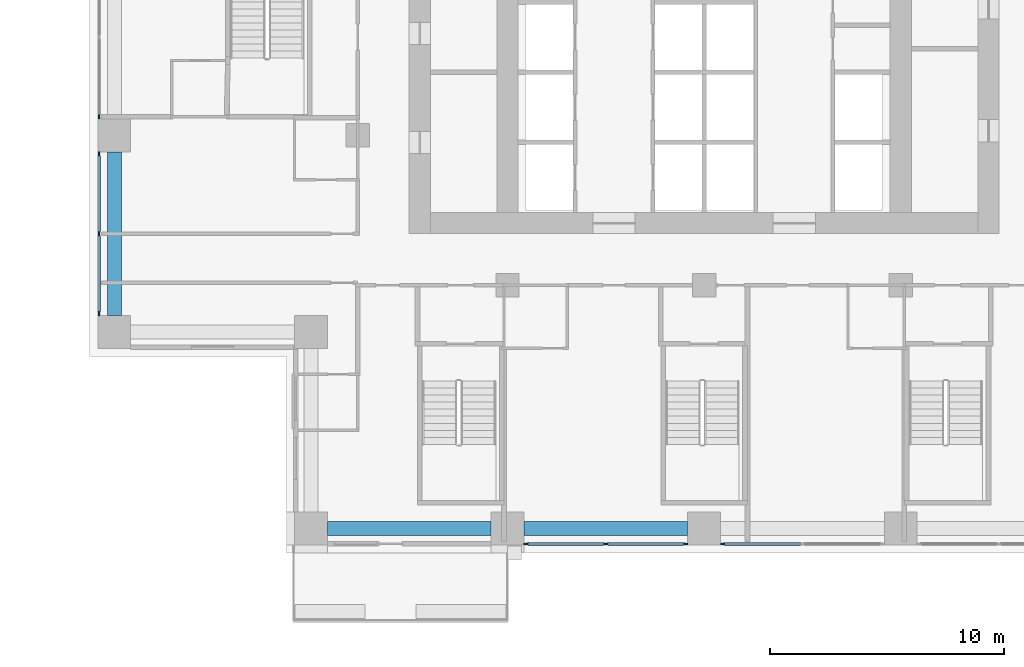
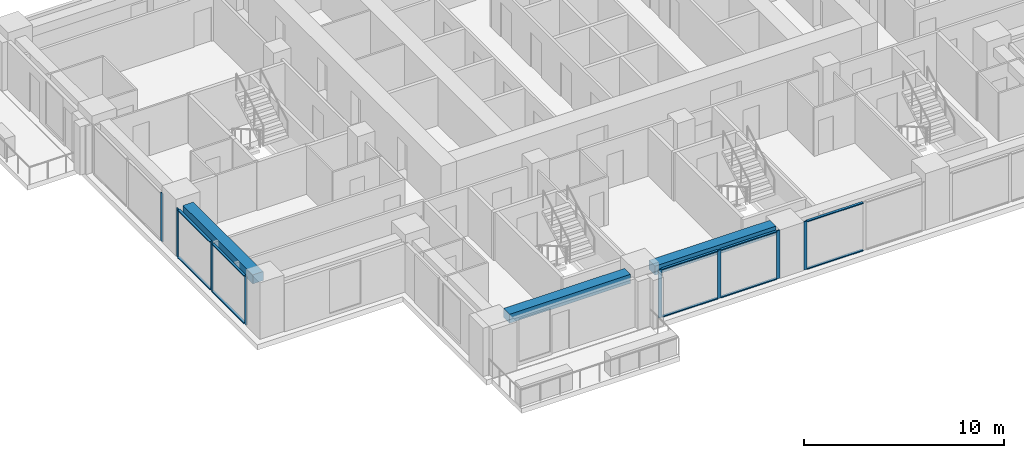
# One storey, part 2 of 16: 18 members, 3 beams, 4 elements without a shape of their own.
"""IFC4 building model written with IfcOpenShell, lengths in metres."""

import ifcopenshell
import ifcopenshell.guid

model = None  # the IFC model being written
_history = None  # IfcOwnerHistory: only IFC2X3 demands one
_inside = {}  # id of a spatial element -> (the spatial element, [elements in it])
_under = {}  # id of a project, library or spatial element -> (it, [spatial elements below it])
_declared = {}  # id of a project -> (the project, [libraries it declares])
_typed = {}  # id of a type object -> (the type object, [elements of that type])
_made_of = {}  # id of a material, layer set ... -> (it, [elements and type objects made of it])


def new_model(schema):
    """Start an empty IFC model of exactly this schema.

    Asked for "IFC4X3", IfcOpenShell would pick the latest addendum, in which some entities
    have other attributes; the version numbers below select the first issue.
    IFC2X3 requires an IfcOwnerHistory on every rooted entity: one is made here for all.
    """
    global model, _history
    if schema == "IFC4X3":
        model = ifcopenshell.file(schema_version=(4, 3, 0, 0))
    else:
        model = ifcopenshell.file(schema=schema)
    _inside.clear()
    _under.clear()
    _declared.clear()
    _typed.clear()
    _made_of.clear()
    _history = None
    if model.schema == "IFC2X3":
        org = make("IfcOrganization", Name="unknown")
        user = make(
            "IfcPersonAndOrganization",
            ThePerson=make("IfcPerson", FamilyName="unknown"),
            TheOrganization=org,
        )
        app = make(
            "IfcApplication",
            ApplicationDeveloper=org,
            Version="unknown",
            ApplicationFullName="unknown",
            ApplicationIdentifier="unknown",
        )
        _history = make(
            "IfcOwnerHistory",
            OwningUser=user,
            OwningApplication=app,
            ChangeAction="ADDED",
            CreationDate=0,
        )
    return model


def make(cls, **values):
    """One entity of the class cls with the attributes given. An attribute that is None is left unset."""
    return model.create_entity(
        cls, **{name: value for name, value in values.items() if value is not None}
    )


def rooted(cls, **values):
    """An entity with a GlobalId (a new one), such as an element, a storey or a relation."""
    return make(cls, GlobalId=ifcopenshell.guid.new(), OwnerHistory=_history, **values)


def si_unit(unit_type, name, prefix=None):
    """IfcSIUnit, for example si_unit("LENGTHUNIT", "METRE", prefix="MILLI")."""
    return make("IfcSIUnit", UnitType=unit_type, Prefix=prefix, Name=name)


def assignment(units):
    """IfcUnitAssignment: the units of a project."""
    return None if units is None else make("IfcUnitAssignment", Units=units)


def point(xyz):
    """IfcCartesianPoint."""
    return None if xyz is None else make("IfcCartesianPoint", Coordinates=xyz)


def direction(xyz):
    """IfcDirection."""
    return None if xyz is None else make("IfcDirection", DirectionRatios=xyz)


def frame(location, z_axis=None, x_axis=None):
    """IfcAxis2Placement3D, a coordinate frame: its origin and axes. An axis left out is left unset."""
    return make(
        "IfcAxis2Placement3D",
        Location=point(location),
        Axis=direction(z_axis),
        RefDirection=direction(x_axis),
    )


def frame_2d(location, x_axis=None):
    """IfcAxis2Placement2D, a coordinate frame in the plane: its origin and x axis."""
    return make(
        "IfcAxis2Placement2D", Location=point(location), RefDirection=direction(x_axis)
    )


def origin():
    """The frame at (0, 0, 0) with its axes left unset."""
    return frame((0.0, 0.0, 0.0))


def origin_2d():
    """The frame at (0, 0) in the plane with its x axis left unset."""
    return frame_2d((0.0, 0.0))


def place(relative_to, where):
    """IfcLocalPlacement: puts the frame where relative to a parent placement (None: the world)."""
    return make(
        "IfcLocalPlacement", PlacementRelTo=relative_to, RelativePlacement=where
    )


def context(
    kind, dimensions, precision=None, world=None, true_north=None, identifier=None
):
    """IfcGeometricRepresentationContext, for example the 3D "Model" context."""
    return make(
        "IfcGeometricRepresentationContext",
        ContextIdentifier=identifier,
        ContextType=kind,
        CoordinateSpaceDimension=dimensions,
        Precision=precision,
        WorldCoordinateSystem=world,
        TrueNorth=true_north,
    )


def subcontext(parent, identifier, kind, view, scale=None):
    """IfcGeometricRepresentationSubContext, for example "Body" below "Model"."""
    return make(
        "IfcGeometricRepresentationSubContext",
        ContextIdentifier=identifier,
        ContextType=kind,
        ParentContext=parent,
        TargetScale=scale,
        TargetView=view,
    )


def project(units=None, contexts=None):
    """IfcProject with its units and contexts."""
    return rooted(
        "IfcProject",
        Name="project",
        RepresentationContexts=contexts,
        UnitsInContext=assignment(units),
    )


def spatial(cls, under=None, at=None, **own):
    """A site, building, storey or space (cls), placed at a placement, below another one or the project."""
    s = rooted(cls, ObjectPlacement=at, **own)
    if under is not None:
        _under.setdefault(under.id(), (under, []))[1].append(s)
    return s


def profile(cls, at=None, kind="AREA", **sizes):
    """A parametric profile (cls). Its sizes go by their IFC names, for example OverallWidth=200.0."""
    return make(cls, ProfileType=kind, Position=at, **sizes)


def rectangle(**sizes):
    """IfcRectangleProfileDef."""
    return profile("IfcRectangleProfileDef", **sizes)


def extrude(swept, where, along, depth):
    """IfcExtrudedAreaSolid: the profile swept, set in the frame where, extruded along a direction by depth."""
    return make(
        "IfcExtrudedAreaSolid",
        SweptArea=swept,
        Position=where,
        ExtrudedDirection=direction(along),
        Depth=depth,
    )


def shape(context_of_items, identifier, shape_type, items):
    """IfcShapeRepresentation: the items that make up one representation, for example the "Body"."""
    return make(
        "IfcShapeRepresentation",
        ContextOfItems=context_of_items,
        RepresentationIdentifier=identifier,
        RepresentationType=shape_type,
        Items=items,
    )


def material(Name=None, Category=None):
    """IfcMaterial."""
    return make("IfcMaterial", Name=Name, Category=Category)


def material_profile(
    of_material, cross_section, Name=None, Category=None, Priority=None
):
    """IfcMaterialProfile: a cross section and its material."""
    return make(
        "IfcMaterialProfile",
        Name=Name,
        Material=of_material,
        Profile=cross_section,
        Priority=Priority,
        Category=Category,
    )


def profile_set(profiles, Name=None, composite=None):
    """IfcMaterialProfileSet."""
    return make(
        "IfcMaterialProfileSet",
        Name=Name,
        MaterialProfiles=profiles,
        CompositeProfile=composite,
    )


def made_of(thing, what):
    """Note that an element or type object is made of a material, layer set ...; save() writes the relation."""
    if what is not None:
        _made_of.setdefault(what.id(), (what, []))[1].append(thing)
    return thing


def type_object(cls, material=None, **own):
    """A type object (cls), such as IfcWallType, which elements share."""
    return made_of(rooted(cls, **own), material)


def element(
    cls,
    number,
    at=None,
    inside=None,
    cuts=None,
    type_object=None,
    material=None,
    context=None,
    identifier="Body",
    shape_type=None,
    held_by="IfcProductDefinitionShape",
    body=None,
    shapes=None,
    **own,
):
    """One element of the class cls, such as IfcWall. Its Tag is "e" and its number.

    at: its placement. inside: the storey or other place that contains it. cuts: it is an
    opening in that element (IfcRelVoidsElement). A single representation is given by context,
    identifier, shape_type and body (its items); several are given by shapes. held_by: the class
    of the entity that holds the representations. save() writes the other relations.
    """
    e = rooted(cls, Tag="e%d" % number, ObjectPlacement=at, **own)
    if body is not None:
        shapes = [shape(context, identifier, shape_type, body)]
    if shapes is not None:
        e.Representation = make(held_by, Representations=shapes)
    if inside is not None:
        _inside.setdefault(inside.id(), (inside, []))[1].append(e)
    if cuts is not None:
        rooted(
            "IfcRelVoidsElement", RelatingBuildingElement=cuts, RelatedOpeningElement=e
        )
    if type_object is not None:
        _typed.setdefault(type_object.id(), (type_object, []))[1].append(e)
    return made_of(e, material)


def aggregate(whole, parts):
    """IfcRelAggregates: a whole, such as a stair, and the parts it consists of."""
    return rooted("IfcRelAggregates", RelatingObject=whole, RelatedObjects=parts)


def save(model, path):
    """Write the relations noted so far, then the file.

    IfcRelAggregates (storeys below a building ...), IfcRelContainedInSpatialStructure (elements
    in a storey), IfcRelDefinesByType, IfcRelAssociatesMaterial and IfcRelDeclares: one each for
    every whole, place, type object, material and project.
    """
    for whole, parts in _under.values():
        aggregate(whole, parts)
    for where, things in _inside.values():
        rooted(
            "IfcRelContainedInSpatialStructure",
            RelatedElements=things,
            RelatingStructure=where,
        )
    for kind, things in _typed.values():
        rooted("IfcRelDefinesByType", RelatedObjects=things, RelatingType=kind)
    for what, things in _made_of.values():
        rooted("IfcRelAssociatesMaterial", RelatedObjects=things, RelatingMaterial=what)
    for by, libraries in _declared.values():
        rooted("IfcRelDeclares", RelatingContext=by, RelatedDefinitions=libraries)
    model.write(path)


model = new_model("IFC4")

# Units and contexts
model_context = context("Model", 3, precision=1e-05, world=origin(), true_north=direction((0.0, 1.0)))
body_context = subcontext(model_context, "Body", "Model", "MODEL_VIEW")
ifc_project = project(units=[si_unit("LENGTHUNIT", "METRE"), si_unit("AREAUNIT", "SQUARE_METRE"), si_unit("VOLUMEUNIT", "CUBIC_METRE"), si_unit("PLANEANGLEUNIT", "RADIAN"), si_unit("MASSUNIT", "GRAM", prefix="KILO")], contexts=[model_context])

# Site, building, storey
site_placement = place(None, origin())
site = spatial("IfcSite", under=ifc_project, at=site_placement, CompositionType="ELEMENT")
building_placement = place(site_placement, origin())
building = spatial("IfcBuilding", under=site, at=building_placement, Name="Vermilion Ogive Tower", CompositionType="ELEMENT")
storey_placement = place(building_placement, frame((0.0, 0.0, 72.449951171875)))
storey = spatial("IfcBuildingStorey", under=building, at=storey_placement, Name="L17", CompositionType="ELEMENT", Elevation=72.449951171875)

# Curtain wall, members
ifc_material_1 = material(Name="Low-iron laminated glazing in aluminium frame", Category="aluminium")
curtain_wall_type = type_object("IfcCurtainWallType", Name="Curtain wall CW7", PredefinedType="NOTDEFINED", material=ifc_material_1)
curtain_wall_1_placement = place(storey_placement, origin())
curtain_wall_1 = element("IfcCurtainWall", 1, at=curtain_wall_1_placement, inside=storey, type_object=curtain_wall_type, Name="Glazed skin S2", PredefinedType="NOTDEFINED")
ifc_material_2 = material(Name="Aluminium mullion", Category="aluminium")
ifc_material_profile_1 = material_profile(ifc_material_2, rectangle(XDim=0.06005859375, YDim=0.179931640625, at=origin_2d()), Name="AL 60x180")
ifc_profile_set_1 = profile_set([ifc_material_profile_1], Name="Aluminium mullion")
member_type_1 = type_object("IfcMemberType", Name="CW7 mullion 60x180", PredefinedType="MULLION", material=ifc_profile_set_1)
member_1_placement = place(storey_placement, frame((-7.610107421875, -21.64990234375, 0.0), z_axis=(0.0, 0.0, 1.0), x_axis=(0.0, 1.0, 0.0)))
member_1 = element("IfcMember", 2, at=member_1_placement, type_object=member_type_1, Name="CW7-S2 mullion 1", PredefinedType="MULLION", context=body_context, shape_type="SweptSolid", body=[
    extrude(rectangle(XDim=0.06005859375, YDim=0.179931640625, at=origin_2d()), origin(), (0.0, 0.0, 1.0), 2.949951171875),
])
member_2_placement = place(storey_placement, frame((-4.199951171875, -21.64990234375, 0.0), z_axis=(0.0, 0.0, 1.0), x_axis=(0.0, 1.0, 0.0)))
member_2 = element("IfcMember", 3, at=member_2_placement, type_object=member_type_1, Name="CW7-S2 mullion 2", PredefinedType="MULLION", context=body_context, shape_type="SweptSolid", body=[
    extrude(rectangle(XDim=0.06005859375, YDim=0.179931640625, at=origin_2d()), origin(), (0.0, 0.0, 1.0), 2.949951171875),
])
member_3_placement = place(storey_placement, frame((-0.7900390625, -21.64990234375, 0.0), z_axis=(0.0, 0.0, 1.0), x_axis=(0.0, 1.0, 0.0)))
member_3 = element("IfcMember", 4, at=member_3_placement, type_object=member_type_1, Name="CW7-S2 mullion 3", PredefinedType="MULLION", context=body_context, shape_type="SweptSolid", body=[
    extrude(rectangle(XDim=0.06005859375, YDim=0.179931640625, at=origin_2d()), origin(), (0.0, 0.0, 1.0), 2.949951171875),
])

# Curtain wall, member
curtain_wall_2_placement = place(storey_placement, origin())
curtain_wall_2 = element("IfcCurtainWall", 5, at=curtain_wall_2_placement, inside=storey, type_object=curtain_wall_type, Name="Glazed skin S3", PredefinedType="NOTDEFINED")
member_4_placement = place(storey_placement, frame((0.7900390625, -21.64990234375, 0.0), z_axis=(0.0, 0.0, 1.0), x_axis=(0.0, 1.0, 0.0)))
member_4 = element("IfcMember", 6, at=member_4_placement, type_object=member_type_1, Name="CW7-S3 mullion 1", PredefinedType="MULLION", context=body_context, shape_type="SweptSolid", body=[
    extrude(rectangle(XDim=0.06005859375, YDim=0.179931640625, at=origin_2d()), origin(), (0.0, 0.0, 1.0), 2.949951171875),
])

curtain_wall_3_placement = place(storey_placement, origin())
curtain_wall_3 = element("IfcCurtainWall", 7, at=curtain_wall_3_placement, inside=storey, type_object=curtain_wall_type, Name="Glazed skin W2", PredefinedType="NOTDEFINED")
member_5_placement = place(storey_placement, frame((-25.85009765625, -3.409912109375, 0.0), z_axis=(0.0, 0.0, 1.0), x_axis=(1.0, 0.0, 0.0)))
member_5 = element("IfcMember", 8, at=member_5_placement, type_object=member_type_1, Name="CW7-W2 mullion 3", PredefinedType="MULLION", context=body_context, shape_type="SweptSolid", body=[
    extrude(rectangle(XDim=0.06005859375, YDim=0.179931640625, at=origin_2d()), origin(), (0.0, 0.0, 1.0), 2.949951171875),
])
aggregate(curtain_wall_3, [member_5])

# Curtain wall, members
curtain_wall_4_placement = place(storey_placement, origin())
curtain_wall_4 = element("IfcCurtainWall", 9, at=curtain_wall_4_placement, inside=storey, type_object=curtain_wall_type, Name="Glazed skin W3", PredefinedType="NOTDEFINED")
member_6_placement = place(storey_placement, frame((-25.85009765625, -4.989990234375, 0.0), z_axis=(0.0, 0.0, 1.0), x_axis=(1.0, 0.0, 0.0)))
member_6 = element("IfcMember", 10, at=member_6_placement, type_object=member_type_1, Name="CW7-W3 mullion 1", PredefinedType="MULLION", context=body_context, shape_type="SweptSolid", body=[
    extrude(rectangle(XDim=0.06005859375, YDim=0.179931640625, at=origin_2d()), origin(), (0.0, 0.0, 1.0), 2.949951171875),
])
member_7_placement = place(storey_placement, frame((-25.85009765625, -8.39990234375, 0.0), z_axis=(0.0, 0.0, 1.0), x_axis=(1.0, 0.0, 0.0)))
member_7 = element("IfcMember", 11, at=member_7_placement, type_object=member_type_1, Name="CW7-W3 mullion 2", PredefinedType="MULLION", context=body_context, shape_type="SweptSolid", body=[
    extrude(rectangle(XDim=0.06005859375, YDim=0.179931640625, at=origin_2d()), origin(), (0.0, 0.0, 1.0), 2.949951171875),
])
member_8_placement = place(storey_placement, frame((-25.85009765625, -11.81005859375, 0.0), z_axis=(0.0, 0.0, 1.0), x_axis=(1.0, 0.0, 0.0)))
member_8 = element("IfcMember", 12, at=member_8_placement, type_object=member_type_1, Name="CW7-W3 mullion 3", PredefinedType="MULLION", context=body_context, shape_type="SweptSolid", body=[
    extrude(rectangle(XDim=0.06005859375, YDim=0.179931640625, at=origin_2d()), origin(), (0.0, 0.0, 1.0), 2.949951171875),
])

# Member
ifc_material_3 = material(Name="Aluminium transom", Category="aluminium")
ifc_material_profile_2 = material_profile(ifc_material_3, rectangle(XDim=0.139892578125, YDim=0.06005859375, at=origin_2d()), Name="AL 60x140")
ifc_profile_set_2 = profile_set([ifc_material_profile_2], Name="Aluminium transom")
member_type_2 = type_object("IfcMemberType", Name="CW7 transom 60x140", PredefinedType="USERDEFINED", material=ifc_profile_set_2)
member_9_placement = place(storey_placement, frame((-7.52001953125, -21.64990234375, 0.030029296875), z_axis=(1.0, 0.0, 0.0), x_axis=(0.0, 1.0, 0.0)))
member_9 = element("IfcMember", 13, at=member_9_placement, type_object=member_type_2, Name="CW7-S2 transom 1.1", ObjectType="TRANSOM", PredefinedType="USERDEFINED", context=body_context, shape_type="SweptSolid", body=[
    extrude(rectangle(XDim=0.139892578125, YDim=0.06005859375, at=origin_2d()), origin(), (0.0, 0.0, 1.0), 3.22998046875),
])

member_10_placement = place(storey_placement, frame((-7.52001953125, -21.64990234375, 2.920166015625), z_axis=(1.0, 0.0, 0.0), x_axis=(0.0, 1.0, 0.0)))
member_10 = element("IfcMember", 14, at=member_10_placement, type_object=member_type_2, Name="CW7-S2 transom 1.2", ObjectType="TRANSOM", PredefinedType="USERDEFINED", context=body_context, shape_type="SweptSolid", body=[
    extrude(rectangle(XDim=0.139892578125, YDim=0.06005859375, at=origin_2d()), origin(), (0.0, 0.0, 1.0), 3.22998046875),
])

member_11_placement = place(storey_placement, frame((-4.110107421875, -21.64990234375, 0.030029296875), z_axis=(1.0, 0.0, 0.0), x_axis=(0.0, 1.0, 0.0)))
member_11 = element("IfcMember", 15, at=member_11_placement, type_object=member_type_2, Name="CW7-S2 transom 2.1", ObjectType="TRANSOM", PredefinedType="USERDEFINED", context=body_context, shape_type="SweptSolid", body=[
    extrude(rectangle(XDim=0.139892578125, YDim=0.06005859375, at=origin_2d()), origin(), (0.0, 0.0, 1.0), 3.230224609375),
])

member_12_placement = place(storey_placement, frame((-4.110107421875, -21.64990234375, 2.920166015625), z_axis=(1.0, 0.0, 0.0), x_axis=(0.0, 1.0, 0.0)))
member_12 = element("IfcMember", 16, at=member_12_placement, type_object=member_type_2, Name="CW7-S2 transom 2.2", ObjectType="TRANSOM", PredefinedType="USERDEFINED", context=body_context, shape_type="SweptSolid", body=[
    extrude(rectangle(XDim=0.139892578125, YDim=0.06005859375, at=origin_2d()), origin(), (0.0, 0.0, 1.0), 3.230224609375),
])

aggregate(curtain_wall_1, [member_1, member_2, member_3, member_9, member_10, member_11, member_12])

member_13_placement = place(storey_placement, frame((0.8798828125, -21.64990234375, 0.030029296875), z_axis=(1.0, 0.0, 0.0), x_axis=(0.0, 1.0, 0.0)))
member_13 = element("IfcMember", 17, at=member_13_placement, type_object=member_type_2, Name="CW7-S3 transom 1.1", ObjectType="TRANSOM", PredefinedType="USERDEFINED", context=body_context, shape_type="SweptSolid", body=[
    extrude(rectangle(XDim=0.139892578125, YDim=0.06005859375, at=origin_2d()), origin(), (0.0, 0.0, 1.0), 3.230224609375),
])

member_14_placement = place(storey_placement, frame((0.8798828125, -21.64990234375, 2.920166015625), z_axis=(1.0, 0.0, 0.0), x_axis=(0.0, 1.0, 0.0)))
member_14 = element("IfcMember", 18, at=member_14_placement, type_object=member_type_2, Name="CW7-S3 transom 1.2", ObjectType="TRANSOM", PredefinedType="USERDEFINED", context=body_context, shape_type="SweptSolid", body=[
    extrude(rectangle(XDim=0.139892578125, YDim=0.06005859375, at=origin_2d()), origin(), (0.0, 0.0, 1.0), 3.230224609375),
])

aggregate(curtain_wall_2, [member_4, member_13, member_14])

member_15_placement = place(storey_placement, frame((-25.85009765625, -5.080078125, 0.030029296875), z_axis=(0.0, -1.0, 0.0), x_axis=(1.0, 0.0, 0.0)))
member_15 = element("IfcMember", 19, at=member_15_placement, type_object=member_type_2, Name="CW7-W3 transom 1.1", ObjectType="TRANSOM", PredefinedType="USERDEFINED", context=body_context, shape_type="SweptSolid", body=[
    extrude(rectangle(XDim=0.139892578125, YDim=0.06005859375, at=origin_2d()), origin(), (0.0, 0.0, 1.0), 3.22998046875),
])

member_16_placement = place(storey_placement, frame((-25.85009765625, -5.080078125, 2.920166015625), z_axis=(0.0, -1.0, 0.0), x_axis=(1.0, 0.0, 0.0)))
member_16 = element("IfcMember", 20, at=member_16_placement, type_object=member_type_2, Name="CW7-W3 transom 1.2", ObjectType="TRANSOM", PredefinedType="USERDEFINED", context=body_context, shape_type="SweptSolid", body=[
    extrude(rectangle(XDim=0.139892578125, YDim=0.06005859375, at=origin_2d()), origin(), (0.0, 0.0, 1.0), 3.22998046875),
])

member_17_placement = place(storey_placement, frame((-25.85009765625, -8.489990234375, 0.030029296875), z_axis=(0.0, -1.0, 0.0), x_axis=(1.0, 0.0, 0.0)))
member_17 = element("IfcMember", 21, at=member_17_placement, type_object=member_type_2, Name="CW7-W3 transom 2.1", ObjectType="TRANSOM", PredefinedType="USERDEFINED", context=body_context, shape_type="SweptSolid", body=[
    extrude(rectangle(XDim=0.139892578125, YDim=0.06005859375, at=origin_2d()), origin(), (0.0, 0.0, 1.0), 3.22998046875),
])

member_18_placement = place(storey_placement, frame((-25.85009765625, -8.489990234375, 2.920166015625), z_axis=(0.0, -1.0, 0.0), x_axis=(1.0, 0.0, 0.0)))
member_18 = element("IfcMember", 22, at=member_18_placement, type_object=member_type_2, Name="CW7-W3 transom 2.2", ObjectType="TRANSOM", PredefinedType="USERDEFINED", context=body_context, shape_type="SweptSolid", body=[
    extrude(rectangle(XDim=0.139892578125, YDim=0.06005859375, at=origin_2d()), origin(), (0.0, 0.0, 1.0), 3.22998046875),
])

aggregate(curtain_wall_4, [member_6, member_7, member_8, member_15, member_16, member_17, member_18])

# Beams
ifc_material_4 = material(Name="Concrete B45", Category="concrete")
ifc_material_profile_3 = material_profile(ifc_material_4, rectangle(XDim=0.60009765625, YDim=0.550048828125, at=origin_2d()), Name="600 x 550")
ifc_profile_set_3 = profile_set([ifc_material_profile_3], Name="Concrete B45")
beam_type = type_object("IfcBeamType", Name="Edge beam 600 x 550 B45", PredefinedType="BEAM", material=ifc_profile_set_3)
for number, where, z_axis, x_axis, name in (
    (23, (-16.10009765625, -21.0, 2.675048828125), (1.0, 0.0, 0.0), (0.0, 1.0, 0.0), "L17-EB-1"),
    (24, (-7.699951171875, -21.0, 2.675048828125), (1.0, 0.0, 0.0), (0.0, 1.0, 0.0), "L17-EB-2"),
    (25, (-25.199951171875, -4.89990234375, 2.675048828125), (0.0, -1.0, 0.0), (1.0, 0.0, 0.0), "L17-EB-16"),
):
    element("IfcBeam", number, at=place(storey_placement, frame(where, z_axis=z_axis, x_axis=x_axis)), inside=storey, type_object=beam_type, Name=name, PredefinedType="BEAM", context=body_context, shape_type="SweptSolid", body=[
        extrude(rectangle(XDim=0.60009765625, YDim=0.550048828125, at=origin_2d()), origin(), (0.0, 0.0, 1.0), 7.0),
    ])

save(model, "model.ifc")
